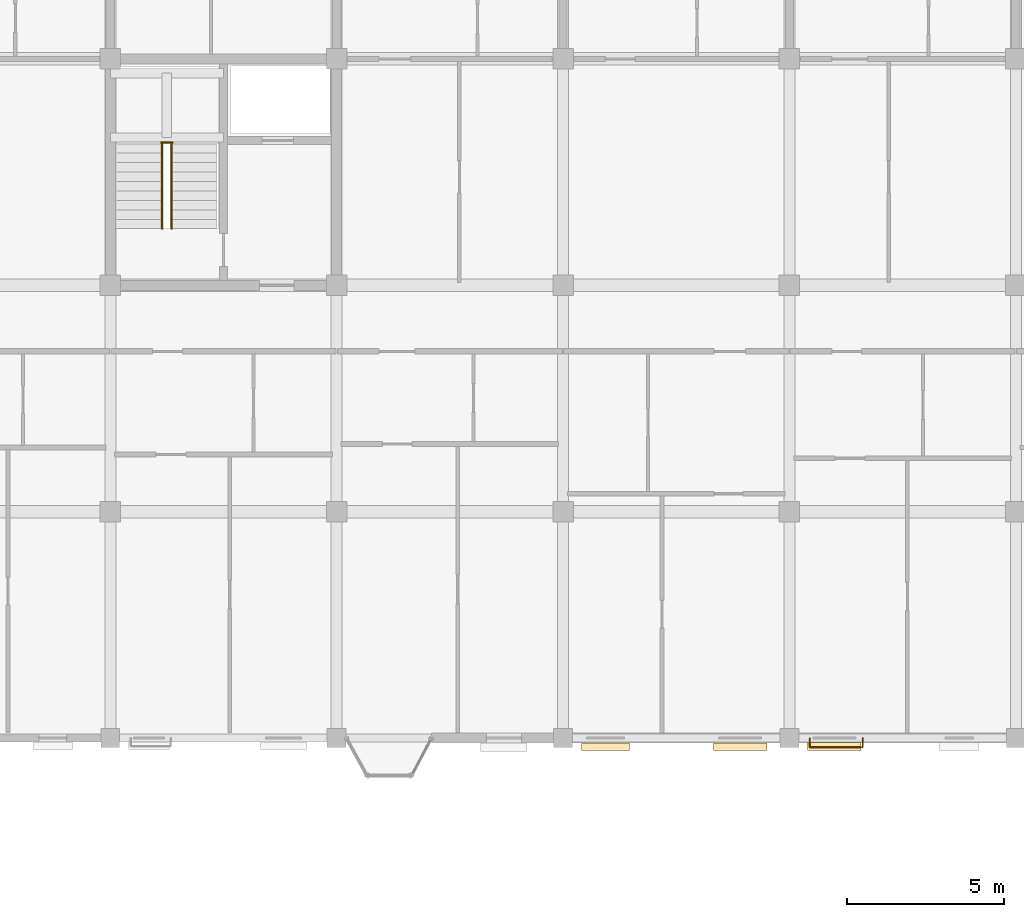
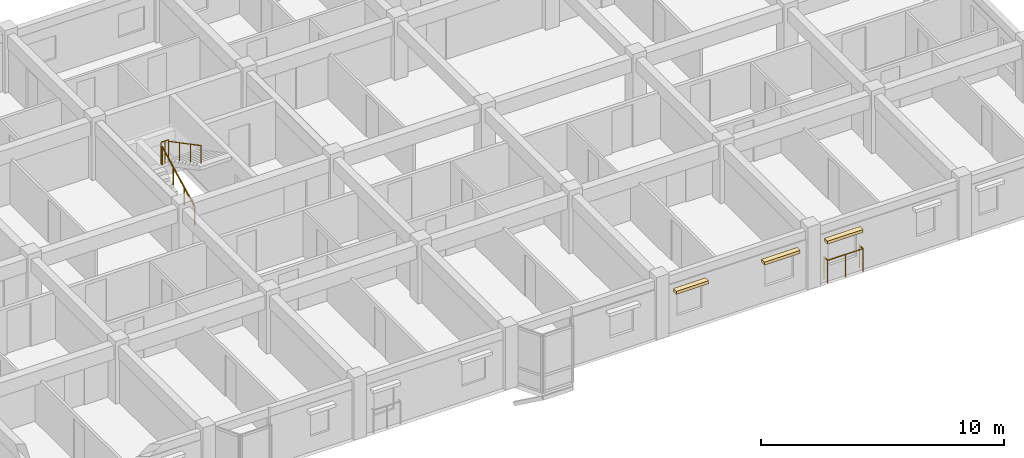
# One storey, part 122 of 124: 4 railings, 3 coverings.
"""IFC4 building model written with IfcOpenShell, lengths in metres."""

from ifc_helpers import new_model, si_unit, direction, frame, origin, origin_2d, place, context, subcontext, project, spatial, rectangle, circle, extrude, material, layer, layer_set, type_object, element, save


model = new_model("IFC4")

# Units and contexts
model_context = context("Model", 3, precision=1e-05, world=origin(), true_north=direction((0.0, 1.0)))
body_context = subcontext(model_context, "Body", "Model", "MODEL_VIEW")
ifc_project = project(units=[si_unit("LENGTHUNIT", "METRE"), si_unit("AREAUNIT", "SQUARE_METRE"), si_unit("VOLUMEUNIT", "CUBIC_METRE"), si_unit("PLANEANGLEUNIT", "RADIAN"), si_unit("MASSUNIT", "GRAM", prefix="KILO"), si_unit("THERMODYNAMICTEMPERATUREUNIT", "KELVIN"), si_unit("POWERUNIT", "WATT")], contexts=[model_context])

# Site, building, storey
site_placement = place(None, origin())
site = spatial("IfcSite", under=ifc_project, at=site_placement, CompositionType="ELEMENT")
building_placement = place(site_placement, origin())
building = spatial("IfcBuilding", under=site, at=building_placement, Name="Tavuni Mirador Residences", CompositionType="ELEMENT")
storey_placement = place(building_placement, frame((0.0, 0.0, 7.64990234375)))
storey = spatial("IfcBuildingStorey", under=building, at=storey_placement, Name="L02", CompositionType="ELEMENT", Elevation=7.64990234375)

# Coverings
ifc_material_1 = material(Name="Natural coral limestone", Category="masonry")
ifc_layer = layer(ifc_material_1, 0.054931640625, Name="Natural coral limestone", Category="masonry")
ifc_layer_set = layer_set([ifc_layer], Name="Natural coral limestone")
covering_type = type_object("IfcCoveringType", Name="CVT-CLAD-CORAL", PredefinedType="CLADDING", material=ifc_layer_set)
covering_placement = place(storey_placement, frame((55.35009765625, 143.720458984375, 2.065185546875), z_axis=(0.0, 0.0, 1.0), x_axis=(1.0, 0.0, 0.0)))
element("IfcCovering", 1, at=covering_placement, inside=storey, type_object=covering_type, Name="HOOD-0567", PredefinedType="CLADDING", context=body_context, shape_type="SweptSolid", body=[
    extrude(rectangle(XDim=1.5400390625, YDim=0.25, at=origin_2d()), origin(), (0.0, 0.0, 1.0), 0.14990234375),
])
for number, where, z_axis, x_axis, name in (
    (2, (59.6298828125, 143.720458984375, 2.065185546875), (0.0, 0.0, 1.0), (1.0, 0.0, 0.0), "HOOD-0568"),
    (3, (62.6298828125, 143.7255859375, 2.065185546875), (0.0, 0.0, 1.0), (1.0, 0.0, 0.0), "HOOD-0569"),
):
    element("IfcCovering", number, at=place(storey_placement, frame(where, z_axis=z_axis, x_axis=x_axis)), inside=storey, type_object=covering_type, Name=name, PredefinedType="CLADDING", context=body_context, shape_type="SweptSolid", body=[
        extrude(rectangle(XDim=1.699951171875, YDim=0.25, at=origin_2d()), origin(), (0.0, 0.0, 1.0), 0.14990234375),
    ])

# Railings
ifc_material_2 = material(Name="Structural steel S355", Category="steel")
railing_type_1 = type_object("IfcRailingType", Name="RT-BL1150", PredefinedType="BALUSTRADE", material=ifc_material_2)
railing_1_placement = place(storey_placement, frame((61.85009765625, 144.0, 0.0400390625)))
element("IfcRailing", 4, at=railing_1_placement, inside=storey, type_object=railing_type_1, Name="BALC-BLK-C-L02-S07", PredefinedType="BALUSTRADE", context=body_context, shape_type="SweptSolid", body=[
    extrude(circle(Radius=0.02392578125, at=origin_2d()), frame((0.0, 0.0, 1.1259765625), z_axis=(0.0, -1.0, 0.0), x_axis=(1.0, 0.0, 0.0)), (0.0, 0.0, 1.0), 0.29248046875),
    extrude(circle(Radius=0.02392578125, at=origin_2d()), frame((0.0, -0.29248046875, 1.1259765625), z_axis=(1.0, 0.0, 0.0), x_axis=(0.0, 1.0, 0.0)), (0.0, 0.0, 1.0), 1.679931640625),
    extrude(circle(Radius=0.02392578125, at=origin_2d()), frame((1.679931640625, -0.29248046875, 1.1259765625), z_axis=(0.0, 1.0, 0.0), x_axis=(-1.0, 0.0, 0.0)), (0.0, 0.0, 1.0), 0.29248046875),
    extrude(circle(Radius=0.02099609375, at=origin_2d()), origin(), (0.0, 0.0, 1.0), 1.101806640625),
    extrude(circle(Radius=0.02099609375, at=origin_2d()), frame((0.0, -0.29248046875, 0.0)), (0.0, 0.0, 1.0), 1.101806640625),
    extrude(circle(Radius=0.02099609375, at=origin_2d()), frame((0.83984375, -0.29248046875, 0.0)), (0.0, 0.0, 1.0), 1.101806640625),
    extrude(circle(Radius=0.02099609375, at=origin_2d()), frame((1.679931640625, -0.29248046875, 0.0)), (0.0, 0.0, 1.0), 1.101806640625),
    extrude(circle(Radius=0.02099609375, at=origin_2d()), frame((1.679931640625, 0.0, 0.0)), (0.0, 0.0, 1.0), 1.101806640625),
])
railing_type_2 = type_object("IfcRailingType", Name="RT-GR1120", PredefinedType="GUARDRAIL", material=ifc_material_2)
railing_2_placement = place(storey_placement, frame((41.219970703125, 162.93994140625, 1.5751953125)))
element("IfcRailing", 5, at=railing_2_placement, inside=storey, type_object=railing_type_2, Name="GRD-HL-ST6-L02", PredefinedType="GUARDRAIL", context=body_context, shape_type="SweptSolid", body=[
    extrude(circle(Radius=0.02392578125, at=origin_2d()), frame((0.0, 0.0, 1.09619140625), z_axis=(1.0, 0.0, 0.0), x_axis=(0.0, 1.0, 0.0)), (0.0, 0.0, 1.0), 0.360107421875),
    extrude(circle(Radius=0.02099609375, at=origin_2d()), origin(), (0.0, 0.0, 1.0), 1.072021484375),
    extrude(circle(Radius=0.02099609375, at=origin_2d()), frame((0.18017578125, 0.0, 0.0)), (0.0, 0.0, 1.0), 1.072021484375),
    extrude(circle(Radius=0.02099609375, at=origin_2d()), frame((0.360107421875, 0.0, 0.0)), (0.0, 0.0, 1.0), 1.072021484375),
])
railing_type_3 = type_object("IfcRailingType", Name="RT-HR920", PredefinedType="HANDRAIL", material=ifc_material_2)
railing_3_placement = place(storey_placement, frame((41.25, 160.199951171875, 0.15771484375)))
element("IfcRailing", 6, at=railing_3_placement, inside=storey, type_object=railing_type_3, Name="HR-ST6-L02-F1", PredefinedType="HANDRAIL", context=body_context, shape_type="SweptSolid", body=[
    extrude(circle(Radius=0.02392578125, at=origin_2d()), frame((0.0, 0.0, 0.89599609375), z_axis=(0.0, 0.885397079081, 0.464835468048), x_axis=(-1.0, 0.0, 0.0)), (0.0, 0.0, 1.0), 3.04931640625),
    extrude(circle(Radius=0.02099609375, at=origin_2d()), origin(), (0.0, 0.0, 1.0), 0.871826171875),
    extrude(circle(Radius=0.02099609375, at=origin_2d()), frame((0.0, 0.89990234375, 0.472412109375)), (0.0, 0.0, 1.0), 0.871826171875),
    extrude(circle(Radius=0.02099609375, at=origin_2d()), frame((0.0, 1.800048828125, 0.945068359375)), (0.0, 0.0, 1.0), 0.871826171875),
    extrude(circle(Radius=0.02099609375, at=origin_2d()), frame((0.0, 2.699951171875, 1.41748046875)), (0.0, 0.0, 1.0), 0.871826171875),
])
railing_4_placement = place(storey_placement, frame((41.550048828125, 162.89990234375, 1.732666015625)))
element("IfcRailing", 7, at=railing_4_placement, inside=storey, type_object=railing_type_3, Name="HR-ST6-L02-F2", PredefinedType="HANDRAIL", context=body_context, shape_type="SweptSolid", body=[
    extrude(circle(Radius=0.02392578125, at=origin_2d()), frame((0.0, 0.0, 0.89599609375), z_axis=(0.0, -0.885397079081, 0.464835468048), x_axis=(1.0, 0.0, 0.0)), (0.0, 0.0, 1.0), 3.04931640625),
    extrude(circle(Radius=0.02099609375, at=origin_2d()), origin(), (0.0, 0.0, 1.0), 0.871826171875),
    extrude(circle(Radius=0.02099609375, at=origin_2d()), frame((0.0, -0.89990234375, 0.472412109375)), (0.0, 0.0, 1.0), 0.871826171875),
    extrude(circle(Radius=0.02099609375, at=origin_2d()), frame((0.0, -1.800048828125, 0.945068359375)), (0.0, 0.0, 1.0), 0.871826171875),
    extrude(circle(Radius=0.02099609375, at=origin_2d()), frame((0.0, -2.699951171875, 1.41748046875)), (0.0, 0.0, 1.0), 0.871826171875),
])

save(model, "model.ifc")
